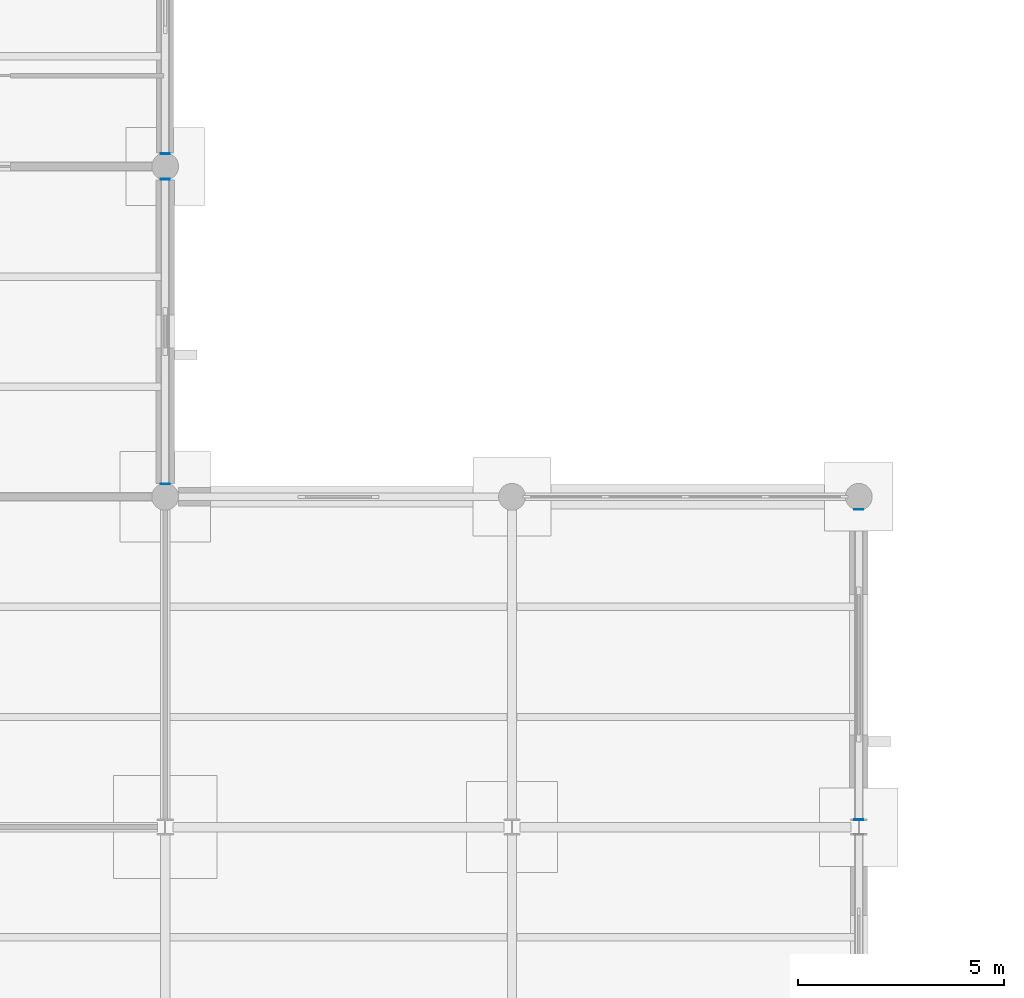
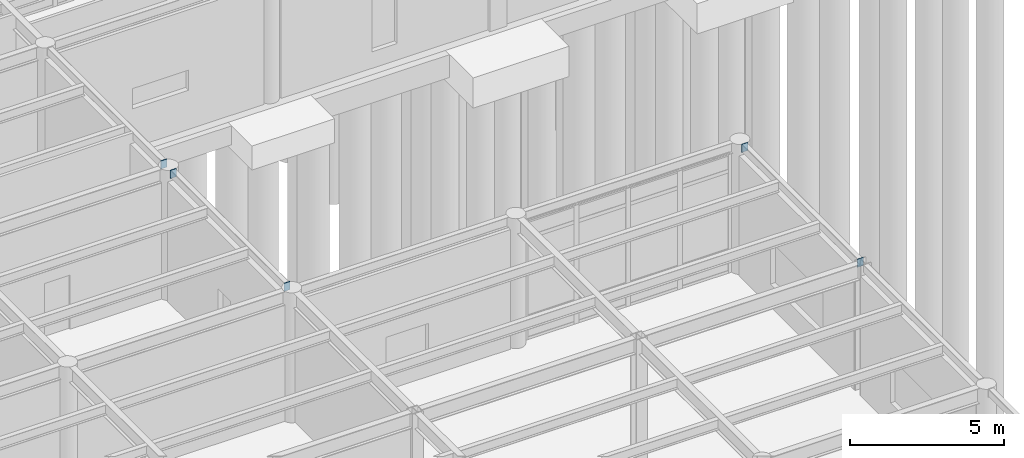
# One storey, part 117 of 138: 5 discrete accessories.
"""IFC4 building model written with IfcOpenShell, lengths in metres."""

from ifc_helpers import new_model, si_unit, direction, frame, origin, origin_2d, place, context, subcontext, project, spatial, rectangle, extrude, material, layer, layer_set, type_object, element, save


model = new_model("IFC4")

# Units and contexts
model_context = context("Model", 3, precision=1e-05, world=origin(), true_north=direction((0.0, 1.0)))
body_context = subcontext(model_context, "Body", "Model", "MODEL_VIEW")
ifc_project = project(units=[si_unit("LENGTHUNIT", "METRE"), si_unit("AREAUNIT", "SQUARE_METRE"), si_unit("VOLUMEUNIT", "CUBIC_METRE"), si_unit("PLANEANGLEUNIT", "RADIAN"), si_unit("MASSUNIT", "GRAM", prefix="KILO")], contexts=[model_context])

# Site, building, storey
site_placement = place(None, origin())
site = spatial("IfcSite", under=ifc_project, at=site_placement, CompositionType="ELEMENT")
building_placement = place(site_placement, origin())
building = spatial("IfcBuilding", under=site, at=building_placement, Name="Kranzveld Transit Interchange", CompositionType="ELEMENT")
storey_placement = place(building_placement, origin())
storey = spatial("IfcBuildingStorey", under=building, at=storey_placement, Name="L00", CompositionType="ELEMENT", Elevation=0.0)

# Discrete accessories
ifc_material = material(Name="Steel S355JR", Category="steel")
ifc_layer = layer(ifc_material, 0.02001953125)
ifc_layer_set = layer_set([ifc_layer], Name="Steel S355JR")
discrete_accessory_type = type_object("IfcDiscreteAccessoryType", Name="Hollow Section End Cap Bracket 20 S355JR", PredefinedType="BRACKET", material=ifc_layer_set)
for number, where, z_axis, x_axis, name in (
    (1, (134.39990234375, 40.319091796875, 5.0), (0.0, -1.0, 0.0), (1.0, 0.0, 0.0), "Hollow Section End Cap SP-RHS300-1"),
    (2, (134.39990234375, 47.680908203125, 5.0), (0.0, 1.0, 0.0), (-1.0, 0.0, 0.0), "Hollow Section End Cap SP-RHS300-2"),
    (3, (134.39990234375, 48.319091796875, 5.0), (0.0, -1.0, 0.0), (1.0, 0.0, 0.0), "Hollow Section End Cap SP-RHS300-1"),
    (4, (151.199951171875, 32.19091796875, 5.0), (0.0, -1.0, 0.0), (1.0, 0.0, 0.0), "Hollow Section End Cap SP-RHS300-1"),
    (5, (151.199951171875, 39.680908203125, 5.0), (0.0, 1.0, 0.0), (-1.0, 0.0, 0.0), "Hollow Section End Cap SP-RHS300-2"),
):
    element("IfcDiscreteAccessory", number, at=place(storey_placement, frame(where, z_axis=z_axis, x_axis=x_axis)), inside=storey, type_object=discrete_accessory_type, Name=name, PredefinedType="BRACKET", context=body_context, shape_type="SweptSolid", body=[
        extrude(rectangle(XDim=0.22412109375, YDim=0.323974609375, at=origin_2d()), origin(), (0.0, 0.0, 1.0), 0.02001953125),
    ])

save(model, "model.ifc")
